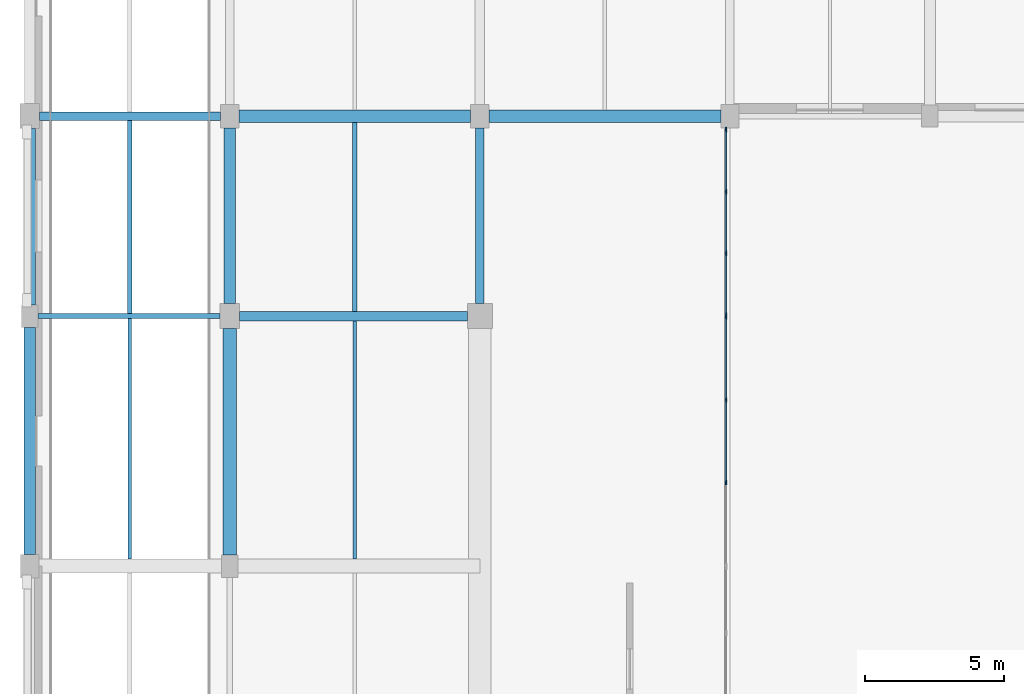
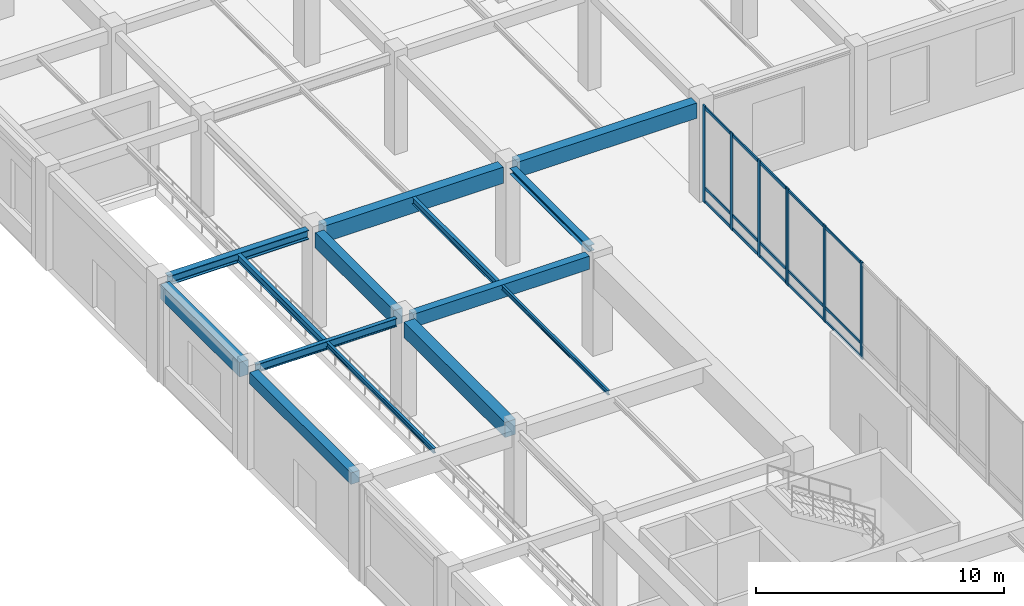
# One storey, part 13 of 64: 22 members, 14 beams, 2 elements without a shape of their own.
"""IFC4 building model written with IfcOpenShell, lengths in metres."""

from ifc_helpers import new_model, si_unit, direction, frame, origin, origin_2d, place, context, subcontext, project, spatial, rectangle, i_section, extrude, material, material_profile, profile_set, type_object, element, aggregate, save


model = new_model("IFC4")

# Units and contexts
model_context = context("Model", 3, precision=1e-05, world=origin(), true_north=direction((0.0, 1.0)))
body_context = subcontext(model_context, "Body", "Model", "MODEL_VIEW")
ifc_project = project(units=[si_unit("LENGTHUNIT", "METRE"), si_unit("AREAUNIT", "SQUARE_METRE"), si_unit("VOLUMEUNIT", "CUBIC_METRE"), si_unit("PLANEANGLEUNIT", "RADIAN"), si_unit("MASSUNIT", "GRAM", prefix="KILO")], contexts=[model_context])

# Site, building, storey
site_placement = place(None, origin())
site = spatial("IfcSite", under=ifc_project, at=site_placement, CompositionType="ELEMENT")
building_placement = place(site_placement, origin())
building = spatial("IfcBuilding", under=site, at=building_placement, Name="Clarverna Civic Hall", CompositionType="ELEMENT")
storey_placement = place(building_placement, origin())
storey = spatial("IfcBuildingStorey", under=building, at=storey_placement, Name="L00", CompositionType="ELEMENT", Elevation=0.0)

# Beams
ifc_material_1 = material(Name="Concrete C35/45", Category="concrete")
ifc_material_profile_1 = material_profile(ifc_material_1, rectangle(XDim=0.5, YDim=0.75, at=origin_2d()), Name="RC 500x750")
ifc_profile_set_1 = profile_set([ifc_material_profile_1], Name="Concrete C35/45")
beam_type_1 = type_object("IfcBeamType", Name="B-RC15", PredefinedType="BEAM", material=ifc_profile_set_1)
beam_1_placement = place(storey_placement, frame((7.199951171875, 30.60009765625, 4.405029296875), z_axis=(0.0, 1.0, 0.0), x_axis=(-1.0, 0.0, 0.0)))
element("IfcBeam", 1, at=beam_1_placement, inside=storey, type_object=beam_type_1, Name="B-RC15-022", PredefinedType="BEAM", context=body_context, shape_type="SweptSolid", body=[
    extrude(rectangle(XDim=0.5, YDim=0.75, at=origin_2d()), origin(), (0.0, 0.0, 1.0), 8.14990234375),
])
ifc_material_profile_2 = material_profile(ifc_material_1, rectangle(XDim=0.39990234375, YDim=0.75, at=origin_2d()), Name="RC 400x750")
ifc_profile_set_2 = profile_set([ifc_material_profile_2], Name="Concrete C35/45")
beam_type_2 = type_object("IfcBeamType", Name="B-RC16", PredefinedType="BEAM", material=ifc_profile_set_2)
beam_2_placement = place(storey_placement, frame((7.199951171875, 39.64990234375, 4.405029296875), z_axis=(0.0, 1.0, 0.0), x_axis=(-1.0, 0.0, 0.0)))
element("IfcBeam", 2, at=beam_2_placement, inside=storey, type_object=beam_type_2, Name="B-RC16-017", PredefinedType="BEAM", context=body_context, shape_type="SweptSolid", body=[
    extrude(rectangle(XDim=0.39990234375, YDim=0.75, at=origin_2d()), origin(), (0.0, 0.0, 1.0), 6.3251953125),
])
ifc_material_profile_3 = material_profile(ifc_material_1, rectangle(XDim=0.35009765625, YDim=0.64990234375, at=origin_2d()), Name="RC 350x650")
ifc_profile_set_3 = profile_set([ifc_material_profile_3], Name="Concrete C35/45")
beam_type_3 = type_object("IfcBeamType", Name="B-RC17", PredefinedType="BEAM", material=ifc_profile_set_3)
beam_3_placement = place(storey_placement, frame((7.550048828125, 39.199951171875, 4.455078125), z_axis=(1.0, 0.0, 0.0), x_axis=(0.0, 1.0, 0.0)))
element("IfcBeam", 3, at=beam_3_placement, inside=storey, type_object=beam_type_3, Name="B-RC17-018", PredefinedType="BEAM", context=body_context, shape_type="SweptSolid", body=[
    extrude(rectangle(XDim=0.35009765625, YDim=0.64990234375, at=origin_2d()), origin(), (0.0, 0.0, 1.0), 8.199951171875),
])
ifc_material_profile_4 = material_profile(ifc_material_1, rectangle(XDim=0.449951171875, YDim=0.800048828125, at=origin_2d()), Name="RC 450x800")
ifc_profile_set_4 = profile_set([ifc_material_profile_4], Name="Concrete C35/45")
beam_type_4 = type_object("IfcBeamType", Name="B-RC2", PredefinedType="BEAM", material=ifc_profile_set_4)
beam_4_placement = place(storey_placement, frame((7.52490234375, 46.39990234375, 4.3798828125), z_axis=(1.0, 0.0, 0.0), x_axis=(0.0, 1.0, 0.0)))
element("IfcBeam", 4, at=beam_4_placement, inside=storey, type_object=beam_type_4, Name="B-RC2-014", PredefinedType="BEAM", context=body_context, shape_type="SweptSolid", body=[
    extrude(rectangle(XDim=0.449951171875, YDim=0.800048828125, at=origin_2d()), origin(), (0.0, 0.0, 1.0), 8.35009765625),
])
ifc_material_profile_5 = material_profile(ifc_material_1, rectangle(XDim=0.449951171875, YDim=0.75, at=origin_2d()), Name="RC 450x750")
ifc_profile_set_5 = profile_set([ifc_material_profile_5], Name="Concrete C35/45")
beam_type_5 = type_object("IfcBeamType", Name="B-RC3", PredefinedType="BEAM", material=ifc_profile_set_5)
beam_5_placement = place(storey_placement, frame((16.52490234375, 46.39990234375, 4.405029296875), z_axis=(1.0, 0.0, 0.0), x_axis=(0.0, 1.0, 0.0)))
element("IfcBeam", 5, at=beam_5_placement, inside=storey, type_object=beam_type_5, Name="B-RC3-014", PredefinedType="BEAM", context=body_context, shape_type="SweptSolid", body=[
    extrude(rectangle(XDim=0.449951171875, YDim=0.75, at=origin_2d()), origin(), (0.0, 0.0, 1.0), 8.35009765625),
])
ifc_material_profile_6 = material_profile(ifc_material_1, rectangle(XDim=0.419921875, YDim=0.719970703125, at=origin_2d()), Name="RC 420x720")
ifc_profile_set_6 = profile_set([ifc_material_profile_6], Name="Concrete C35/45")
beam_type_6 = type_object("IfcBeamType", Name="B-SP1", PredefinedType="SPANDREL", material=ifc_profile_set_6)
beam_6_placement = place(storey_placement, frame((0.0, 39.60009765625, 4.419921875), z_axis=(0.0, 1.0, 0.0), x_axis=(-1.0, 0.0, 0.0)))
element("IfcBeam", 6, at=beam_6_placement, inside=storey, type_object=beam_type_6, Name="B-SP1-044", PredefinedType="SPANDREL", context=body_context, shape_type="SweptSolid", body=[
    extrude(rectangle(XDim=0.419921875, YDim=0.719970703125, at=origin_2d()), origin(), (0.0, 0.0, 1.0), 6.349853515625),
])
ifc_material_profile_7 = material_profile(ifc_material_1, rectangle(XDim=0.39990234375, YDim=0.56005859375, at=origin_2d()), Name="RC 400x560")
ifc_profile_set_7 = profile_set([ifc_material_profile_7], Name="Concrete C35/45")
beam_type_7 = type_object("IfcBeamType", Name="B-SP4", PredefinedType="SPANDREL", material=ifc_profile_set_7)
beam_7_placement = place(storey_placement, frame((0.0, 30.625, 4.5), z_axis=(0.0, 1.0, 0.0), x_axis=(-1.0, 0.0, 0.0)))
element("IfcBeam", 7, at=beam_7_placement, inside=storey, type_object=beam_type_7, Name="B-SP4-041", PredefinedType="SPANDREL", context=body_context, shape_type="SweptSolid", body=[
    extrude(rectangle(XDim=0.39990234375, YDim=0.56005859375, at=origin_2d()), origin(), (0.0, 0.0, 1.0), 8.175048828125),
])
ifc_material_2 = material(Name="Steel S355", Category="steel")
ifc_material_profile_8 = material_profile(ifc_material_2, i_section(OverallWidth=0.300048828125, OverallDepth=0.2900390625, WebThickness=0.008544921875, FlangeThickness=0.013916015625, FilletRadius=0.027099609375, at=origin_2d()), Name="HEA 300")
ifc_profile_set_8 = profile_set([ifc_material_profile_8], Name="Steel S355")
beam_type_8 = type_object("IfcBeamType", Name="B-ST10", PredefinedType="BEAM", material=ifc_profile_set_8)
beam_8_placement = place(storey_placement, frame((16.199951171875, 39.64990234375, 4.635009765625), z_axis=(0.0, 1.0, 0.0), x_axis=(-1.0, 0.0, 0.0)))
element("IfcBeam", 8, at=beam_8_placement, inside=storey, type_object=beam_type_8, Name="B-ST10-003", PredefinedType="BEAM", context=body_context, shape_type="SweptSolid", body=[
    extrude(i_section(OverallWidth=0.300048828125, OverallDepth=0.2900390625, WebThickness=0.008544921875, FlangeThickness=0.013916015625, FilletRadius=0.027099609375, at=origin_2d()), origin(), (0.0, 0.0, 1.0), 6.3251953125),
])
ifc_material_profile_9 = material_profile(ifc_material_2, i_section(OverallWidth=0.179931640625, OverallDepth=0.39990234375, WebThickness=0.008544921875, FlangeThickness=0.013427734375, FilletRadius=0.02099609375, at=origin_2d()), Name="IPE 400")
ifc_profile_set_9 = profile_set([ifc_material_profile_9], Name="Steel S355")
beam_type_9 = type_object("IfcBeamType", Name="B-ST14", PredefinedType="BEAM", material=ifc_profile_set_9)
beam_9_placement = place(storey_placement, frame((0.300048828125, 39.199951171875, 4.580078125), z_axis=(1.0, 0.0, 0.0), x_axis=(0.0, 1.0, 0.0)))
element("IfcBeam", 9, at=beam_9_placement, inside=storey, type_object=beam_type_9, Name="B-ST14-001", PredefinedType="BEAM", context=body_context, shape_type="SweptSolid", body=[
    extrude(i_section(OverallWidth=0.179931640625, OverallDepth=0.39990234375, WebThickness=0.008544921875, FlangeThickness=0.013427734375, FilletRadius=0.02099609375, at=origin_2d()), origin(), (0.0, 0.0, 1.0), 6.550048828125),
])
ifc_material_profile_10 = material_profile(ifc_material_2, i_section(OverallWidth=0.300048828125, OverallDepth=0.449951171875, WebThickness=0.013916015625, FlangeThickness=0.02587890625, FilletRadius=0.027099609375, at=origin_2d()), Name="HEB 450")
ifc_profile_set_10 = profile_set([ifc_material_profile_10], Name="Steel S355")
beam_type_10 = type_object("IfcBeamType", Name="B-ST3", PredefinedType="BEAM", material=ifc_profile_set_10)
beam_10_placement = place(storey_placement, frame((0.35009765625, 46.39990234375, 4.554931640625), z_axis=(1.0, 0.0, 0.0), x_axis=(0.0, 1.0, 0.0)))
element("IfcBeam", 10, at=beam_10_placement, inside=storey, type_object=beam_type_10, Name="B-ST3-001", PredefinedType="BEAM", context=body_context, shape_type="SweptSolid", body=[
    extrude(i_section(OverallWidth=0.300048828125, OverallDepth=0.449951171875, WebThickness=0.013916015625, FlangeThickness=0.02587890625, FilletRadius=0.027099609375, at=origin_2d()), origin(), (0.0, 0.0, 1.0), 6.52490234375),
])

# Curtain wall, members
ifc_material_3 = material(Name="Anodised Bronze Architectural Aluminium", Category="aluminium")
curtain_wall_type = type_object("IfcCurtainWallType", Name="CW-04", PredefinedType="USERDEFINED", material=ifc_material_3)
curtain_wall_1_placement = place(storey_placement, origin())
curtain_wall_1 = element("IfcCurtainWall", 11, at=curtain_wall_1_placement, inside=storey, type_object=curtain_wall_type, Name="CW-04-014", ObjectType="UNITISED CURTAIN WALL", PredefinedType="USERDEFINED")
ifc_material_profile_11 = material_profile(ifc_material_3, rectangle(XDim=0.06005859375, YDim=0.179931640625, at=origin_2d()), Name="BRONZE 60x180")
ifc_profile_set_11 = profile_set([ifc_material_profile_11], Name="Anodised Bronze Architectural Aluminium")
member_type_1 = type_object("IfcMemberType", Name="CWM-01", PredefinedType="MULLION", material=ifc_profile_set_11)
member_1_placement = place(storey_placement, frame((25.06005859375, 45.902099609375, 0.0), z_axis=(0.0, 0.0, 1.0), x_axis=(1.0, 0.0, 0.0)))
member_1 = element("IfcMember", 12, at=member_1_placement, type_object=member_type_1, Name="CWM-01-034", PredefinedType="MULLION", context=body_context, shape_type="SweptSolid", body=[
    extrude(rectangle(XDim=0.06005859375, YDim=0.179931640625, at=origin_2d()), origin(), (0.0, 0.0, 1.0), 4.780029296875),
])
member_2_placement = place(storey_placement, frame((25.06005859375, 43.678955078125, 0.0), z_axis=(0.0, 0.0, 1.0), x_axis=(1.0, 0.0, 0.0)))
member_2 = element("IfcMember", 13, at=member_2_placement, type_object=member_type_1, Name="CWM-01-035", PredefinedType="MULLION", context=body_context, shape_type="SweptSolid", body=[
    extrude(rectangle(XDim=0.06005859375, YDim=0.179931640625, at=origin_2d()), origin(), (0.0, 0.0, 1.0), 4.780029296875),
])
member_3_placement = place(storey_placement, frame((25.06005859375, 41.4560546875, 0.0), z_axis=(0.0, 0.0, 1.0), x_axis=(1.0, 0.0, 0.0)))
member_3 = element("IfcMember", 14, at=member_3_placement, type_object=member_type_1, Name="CWM-01-036", PredefinedType="MULLION", context=body_context, shape_type="SweptSolid", body=[
    extrude(rectangle(XDim=0.06005859375, YDim=0.179931640625, at=origin_2d()), origin(), (0.0, 0.0, 1.0), 4.780029296875),
])
member_4_placement = place(storey_placement, frame((25.06005859375, 39.23291015625, 0.0), z_axis=(0.0, 0.0, 1.0), x_axis=(1.0, 0.0, 0.0)))
member_4 = element("IfcMember", 15, at=member_4_placement, type_object=member_type_1, Name="CWM-01-037", PredefinedType="MULLION", context=body_context, shape_type="SweptSolid", body=[
    extrude(rectangle(XDim=0.06005859375, YDim=0.179931640625, at=origin_2d()), origin(), (0.0, 0.0, 1.0), 4.780029296875),
])

curtain_wall_2_placement = place(storey_placement, origin())
curtain_wall_2 = element("IfcCurtainWall", 16, at=curtain_wall_2_placement, inside=storey, type_object=curtain_wall_type, Name="CW-04-015", ObjectType="UNITISED CURTAIN WALL", PredefinedType="USERDEFINED")
ifc_material_profile_12 = material_profile(ifc_material_3, rectangle(XDim=0.06005859375, YDim=0.159912109375, at=origin_2d()), Name="BRONZE 60x160")
ifc_profile_set_12 = profile_set([ifc_material_profile_12], Name="Anodised Bronze Architectural Aluminium")
member_type_2 = type_object("IfcMemberType", Name="CWM-02", PredefinedType="MULLION", material=ifc_profile_set_12)
member_5_placement = place(storey_placement, frame((25.06005859375, 39.1669921875, 0.0), z_axis=(0.0, 0.0, 1.0), x_axis=(1.0, 0.0, 0.0)))
member_5 = element("IfcMember", 17, at=member_5_placement, type_object=member_type_2, Name="CWM-02-033", PredefinedType="MULLION", context=body_context, shape_type="SweptSolid", body=[
    extrude(rectangle(XDim=0.06005859375, YDim=0.159912109375, at=origin_2d()), origin(), (0.0, 0.0, 1.0), 4.780029296875),
])
member_6_placement = place(storey_placement, frame((25.06005859375, 36.18896484375, 0.0), z_axis=(0.0, 0.0, 1.0), x_axis=(1.0, 0.0, 0.0)))
member_6 = element("IfcMember", 18, at=member_6_placement, type_object=member_type_2, Name="CWM-02-034", PredefinedType="MULLION", context=body_context, shape_type="SweptSolid", body=[
    extrude(rectangle(XDim=0.06005859375, YDim=0.159912109375, at=origin_2d()), origin(), (0.0, 0.0, 1.0), 4.780029296875),
])
member_7_placement = place(storey_placement, frame((25.06005859375, 33.2109375, 0.0), z_axis=(0.0, 0.0, 1.0), x_axis=(1.0, 0.0, 0.0)))
member_7 = element("IfcMember", 19, at=member_7_placement, type_object=member_type_2, Name="CWM-02-035", PredefinedType="MULLION", context=body_context, shape_type="SweptSolid", body=[
    extrude(rectangle(XDim=0.06005859375, YDim=0.159912109375, at=origin_2d()), origin(), (0.0, 0.0, 1.0), 4.780029296875),
])

# Member
ifc_material_profile_13 = material_profile(ifc_material_3, rectangle(XDim=0.06005859375, YDim=0.14990234375, at=origin_2d()), Name="BRONZE 60x150")
ifc_profile_set_13 = profile_set([ifc_material_profile_13], Name="Anodised Bronze Architectural Aluminium")
member_type_3 = type_object("IfcMemberType", Name="CWT-01", PredefinedType="USERDEFINED", material=ifc_profile_set_13)
member_8_placement = place(storey_placement, frame((25.06005859375, 45.886962890625, 0.094970703125), z_axis=(0.0, -1.0, 0.0), x_axis=(1.0, 0.0, 0.0)))
member_8 = element("IfcMember", 20, at=member_8_placement, type_object=member_type_3, Name="CWT-01-070", ObjectType="TRANSOM", PredefinedType="USERDEFINED", context=body_context, shape_type="SweptSolid", body=[
    extrude(rectangle(XDim=0.06005859375, YDim=0.14990234375, at=origin_2d()), origin(), (0.0, 0.0, 1.0), 2.19287109375),
])

member_9_placement = place(storey_placement, frame((25.06005859375, 45.886962890625, 0.75), z_axis=(0.0, -1.0, 0.0), x_axis=(1.0, 0.0, 0.0)))
member_9 = element("IfcMember", 21, at=member_9_placement, type_object=member_type_3, Name="CWT-01-071", ObjectType="TRANSOM", PredefinedType="USERDEFINED", context=body_context, shape_type="SweptSolid", body=[
    extrude(rectangle(XDim=0.06005859375, YDim=0.14990234375, at=origin_2d()), origin(), (0.0, 0.0, 1.0), 2.19287109375),
])

member_10_placement = place(storey_placement, frame((25.06005859375, 45.886962890625, 4.68505859375), z_axis=(0.0, -1.0, 0.0), x_axis=(1.0, 0.0, 0.0)))
member_10 = element("IfcMember", 22, at=member_10_placement, type_object=member_type_3, Name="CWT-01-072", ObjectType="TRANSOM", PredefinedType="USERDEFINED", context=body_context, shape_type="SweptSolid", body=[
    extrude(rectangle(XDim=0.06005859375, YDim=0.14990234375, at=origin_2d()), origin(), (0.0, 0.0, 1.0), 2.19287109375),
])

member_11_placement = place(storey_placement, frame((25.06005859375, 43.6640625, 0.094970703125), z_axis=(0.0, -1.0, 0.0), x_axis=(1.0, 0.0, 0.0)))
member_11 = element("IfcMember", 23, at=member_11_placement, type_object=member_type_3, Name="CWT-01-073", ObjectType="TRANSOM", PredefinedType="USERDEFINED", context=body_context, shape_type="SweptSolid", body=[
    extrude(rectangle(XDim=0.06005859375, YDim=0.14990234375, at=origin_2d()), origin(), (0.0, 0.0, 1.0), 2.193115234375),
])

member_12_placement = place(storey_placement, frame((25.06005859375, 43.6640625, 0.75), z_axis=(0.0, -1.0, 0.0), x_axis=(1.0, 0.0, 0.0)))
member_12 = element("IfcMember", 24, at=member_12_placement, type_object=member_type_3, Name="CWT-01-074", ObjectType="TRANSOM", PredefinedType="USERDEFINED", context=body_context, shape_type="SweptSolid", body=[
    extrude(rectangle(XDim=0.06005859375, YDim=0.14990234375, at=origin_2d()), origin(), (0.0, 0.0, 1.0), 2.193115234375),
])

member_13_placement = place(storey_placement, frame((25.06005859375, 43.6640625, 4.68505859375), z_axis=(0.0, -1.0, 0.0), x_axis=(1.0, 0.0, 0.0)))
member_13 = element("IfcMember", 25, at=member_13_placement, type_object=member_type_3, Name="CWT-01-075", ObjectType="TRANSOM", PredefinedType="USERDEFINED", context=body_context, shape_type="SweptSolid", body=[
    extrude(rectangle(XDim=0.06005859375, YDim=0.14990234375, at=origin_2d()), origin(), (0.0, 0.0, 1.0), 2.193115234375),
])

member_14_placement = place(storey_placement, frame((25.06005859375, 41.44091796875, 0.094970703125), z_axis=(0.0, -1.0, 0.0), x_axis=(1.0, 0.0, 0.0)))
member_14 = element("IfcMember", 26, at=member_14_placement, type_object=member_type_3, Name="CWT-01-076", ObjectType="TRANSOM", PredefinedType="USERDEFINED", context=body_context, shape_type="SweptSolid", body=[
    extrude(rectangle(XDim=0.06005859375, YDim=0.14990234375, at=origin_2d()), origin(), (0.0, 0.0, 1.0), 2.19287109375),
])

member_15_placement = place(storey_placement, frame((25.06005859375, 41.44091796875, 0.75), z_axis=(0.0, -1.0, 0.0), x_axis=(1.0, 0.0, 0.0)))
member_15 = element("IfcMember", 27, at=member_15_placement, type_object=member_type_3, Name="CWT-01-077", ObjectType="TRANSOM", PredefinedType="USERDEFINED", context=body_context, shape_type="SweptSolid", body=[
    extrude(rectangle(XDim=0.06005859375, YDim=0.14990234375, at=origin_2d()), origin(), (0.0, 0.0, 1.0), 2.19287109375),
])

member_16_placement = place(storey_placement, frame((25.06005859375, 41.44091796875, 4.68505859375), z_axis=(0.0, -1.0, 0.0), x_axis=(1.0, 0.0, 0.0)))
member_16 = element("IfcMember", 28, at=member_16_placement, type_object=member_type_3, Name="CWT-01-078", ObjectType="TRANSOM", PredefinedType="USERDEFINED", context=body_context, shape_type="SweptSolid", body=[
    extrude(rectangle(XDim=0.06005859375, YDim=0.14990234375, at=origin_2d()), origin(), (0.0, 0.0, 1.0), 2.19287109375),
])

aggregate(curtain_wall_1, [member_1, member_2, member_3, member_4, member_8, member_9, member_10, member_11, member_12, member_13, member_14, member_15, member_16])

ifc_material_profile_14 = material_profile(ifc_material_3, rectangle(XDim=0.06005859375, YDim=0.1298828125, at=origin_2d()), Name="BRONZE 60x130")
ifc_profile_set_14 = profile_set([ifc_material_profile_14], Name="Anodised Bronze Architectural Aluminium")
member_type_4 = type_object("IfcMemberType", Name="CWT-02", PredefinedType="USERDEFINED", material=ifc_profile_set_14)
member_17_placement = place(storey_placement, frame((25.06005859375, 39.152099609375, 0.094970703125), z_axis=(0.0, -1.0, 0.0), x_axis=(1.0, 0.0, 0.0)))
member_17 = element("IfcMember", 29, at=member_17_placement, type_object=member_type_4, Name="CWT-02-067", ObjectType="TRANSOM", PredefinedType="USERDEFINED", context=body_context, shape_type="SweptSolid", body=[
    extrude(rectangle(XDim=0.06005859375, YDim=0.1298828125, at=origin_2d()), origin(), (0.0, 0.0, 1.0), 2.947998046875),
])

member_18_placement = place(storey_placement, frame((25.06005859375, 39.152099609375, 0.75), z_axis=(0.0, -1.0, 0.0), x_axis=(1.0, 0.0, 0.0)))
member_18 = element("IfcMember", 30, at=member_18_placement, type_object=member_type_4, Name="CWT-02-068", ObjectType="TRANSOM", PredefinedType="USERDEFINED", context=body_context, shape_type="SweptSolid", body=[
    extrude(rectangle(XDim=0.06005859375, YDim=0.1298828125, at=origin_2d()), origin(), (0.0, 0.0, 1.0), 2.947998046875),
])

member_19_placement = place(storey_placement, frame((25.06005859375, 39.152099609375, 4.68505859375), z_axis=(0.0, -1.0, 0.0), x_axis=(1.0, 0.0, 0.0)))
member_19 = element("IfcMember", 31, at=member_19_placement, type_object=member_type_4, Name="CWT-02-069", ObjectType="TRANSOM", PredefinedType="USERDEFINED", context=body_context, shape_type="SweptSolid", body=[
    extrude(rectangle(XDim=0.06005859375, YDim=0.1298828125, at=origin_2d()), origin(), (0.0, 0.0, 1.0), 2.947998046875),
])

member_20_placement = place(storey_placement, frame((25.06005859375, 36.174072265625, 0.094970703125), z_axis=(0.0, -1.0, 0.0), x_axis=(1.0, 0.0, 0.0)))
member_20 = element("IfcMember", 32, at=member_20_placement, type_object=member_type_4, Name="CWT-02-070", ObjectType="TRANSOM", PredefinedType="USERDEFINED", context=body_context, shape_type="SweptSolid", body=[
    extrude(rectangle(XDim=0.06005859375, YDim=0.1298828125, at=origin_2d()), origin(), (0.0, 0.0, 1.0), 2.947998046875),
])

member_21_placement = place(storey_placement, frame((25.06005859375, 36.174072265625, 0.75), z_axis=(0.0, -1.0, 0.0), x_axis=(1.0, 0.0, 0.0)))
member_21 = element("IfcMember", 33, at=member_21_placement, type_object=member_type_4, Name="CWT-02-071", ObjectType="TRANSOM", PredefinedType="USERDEFINED", context=body_context, shape_type="SweptSolid", body=[
    extrude(rectangle(XDim=0.06005859375, YDim=0.1298828125, at=origin_2d()), origin(), (0.0, 0.0, 1.0), 2.947998046875),
])

member_22_placement = place(storey_placement, frame((25.06005859375, 36.174072265625, 4.68505859375), z_axis=(0.0, -1.0, 0.0), x_axis=(1.0, 0.0, 0.0)))
member_22 = element("IfcMember", 34, at=member_22_placement, type_object=member_type_4, Name="CWT-02-072", ObjectType="TRANSOM", PredefinedType="USERDEFINED", context=body_context, shape_type="SweptSolid", body=[
    extrude(rectangle(XDim=0.06005859375, YDim=0.1298828125, at=origin_2d()), origin(), (0.0, 0.0, 1.0), 2.947998046875),
])

aggregate(curtain_wall_2, [member_5, member_6, member_7, member_17, member_18, member_19, member_20, member_21, member_22])

# Beams
ifc_material_profile_15 = material_profile(ifc_material_2, i_section(OverallWidth=0.169921875, OverallDepth=0.360107421875, WebThickness=0.008056640625, FlangeThickness=0.0126953125, FilletRadius=0.01806640625, at=origin_2d()), Name="IPE 360")
ifc_profile_set_15 = profile_set([ifc_material_profile_15], Name="Steel S355")
beam_type_11 = type_object("IfcBeamType", Name="J-ST1", PredefinedType="JOIST", material=ifc_profile_set_15)
beam_11_placement = place(storey_placement, frame((3.60009765625, 39.2900390625, 4.60009765625), z_axis=(0.0, 1.0, 0.0), x_axis=(-1.0, 0.0, 0.0)))
element("IfcBeam", 35, at=beam_11_placement, inside=storey, type_object=beam_type_11, Name="J-ST1-025", PredefinedType="JOIST", context=body_context, shape_type="SweptSolid", body=[
    extrude(i_section(OverallWidth=0.169921875, OverallDepth=0.360107421875, WebThickness=0.008056640625, FlangeThickness=0.0126953125, FilletRadius=0.01806640625, at=origin_2d()), origin(), (0.0, 0.0, 1.0), 6.9599609375),
])
ifc_material_profile_16 = material_profile(ifc_material_2, i_section(OverallWidth=0.159912109375, OverallDepth=0.330078125, WebThickness=0.007568359375, FlangeThickness=0.011474609375, FilletRadius=0.01806640625, at=origin_2d()), Name="IPE 330")
ifc_profile_set_16 = profile_set([ifc_material_profile_16], Name="Steel S355")
beam_type_12 = type_object("IfcBeamType", Name="J-ST2", PredefinedType="JOIST", material=ifc_profile_set_16)
beam_12_placement = place(storey_placement, frame((11.699951171875, 39.375, 4.614990234375), z_axis=(0.0, 1.0, 0.0), x_axis=(-1.0, 0.0, 0.0)))
element("IfcBeam", 36, at=beam_12_placement, inside=storey, type_object=beam_type_12, Name="J-ST2-025", PredefinedType="JOIST", context=body_context, shape_type="SweptSolid", body=[
    extrude(i_section(OverallWidth=0.159912109375, OverallDepth=0.330078125, WebThickness=0.007568359375, FlangeThickness=0.011474609375, FilletRadius=0.01806640625, at=origin_2d()), origin(), (0.0, 0.0, 1.0), 6.800048828125),
])
ifc_material_profile_17 = material_profile(ifc_material_2, i_section(OverallWidth=0.1201171875, OverallDepth=0.239990234375, WebThickness=0.006103515625, FlangeThickness=0.009765625, FilletRadius=0.014892578125, at=origin_2d()), Name="IPE 240")
ifc_profile_set_17 = profile_set([ifc_material_profile_17], Name="Steel S355")
beam_type_13 = type_object("IfcBeamType", Name="J-ST5", PredefinedType="JOIST", material=ifc_profile_set_17)
beam_13_placement = place(storey_placement, frame((3.60009765625, 30.449951171875, 4.659912109375), z_axis=(0.0, 1.0, 0.0), x_axis=(-1.0, 0.0, 0.0)))
element("IfcBeam", 37, at=beam_13_placement, inside=storey, type_object=beam_type_13, Name="J-ST5-024", PredefinedType="JOIST", context=body_context, shape_type="SweptSolid", body=[
    extrude(i_section(OverallWidth=0.1201171875, OverallDepth=0.239990234375, WebThickness=0.006103515625, FlangeThickness=0.009765625, FilletRadius=0.014892578125, at=origin_2d()), origin(), (0.0, 0.0, 1.0), 8.66015625),
])
ifc_material_profile_18 = material_profile(ifc_material_2, i_section(OverallWidth=0.110107421875, OverallDepth=0.219970703125, WebThickness=0.005859375, FlangeThickness=0.00927734375, FilletRadius=0.011962890625, at=origin_2d()), Name="IPE 220")
ifc_profile_set_18 = profile_set([ifc_material_profile_18], Name="Steel S355")
beam_type_14 = type_object("IfcBeamType", Name="J-ST6", PredefinedType="JOIST", material=ifc_profile_set_18)
beam_14_placement = place(storey_placement, frame((11.699951171875, 30.449951171875, 4.669921875), z_axis=(0.0, 1.0, 0.0), x_axis=(-1.0, 0.0, 0.0)))
element("IfcBeam", 38, at=beam_14_placement, inside=storey, type_object=beam_type_14, Name="J-ST6-025", PredefinedType="JOIST", context=body_context, shape_type="SweptSolid", body=[
    extrude(i_section(OverallWidth=0.110107421875, OverallDepth=0.219970703125, WebThickness=0.005859375, FlangeThickness=0.00927734375, FilletRadius=0.011962890625, at=origin_2d()), origin(), (0.0, 0.0, 1.0), 8.574951171875),
])

save(model, "model.ifc")
